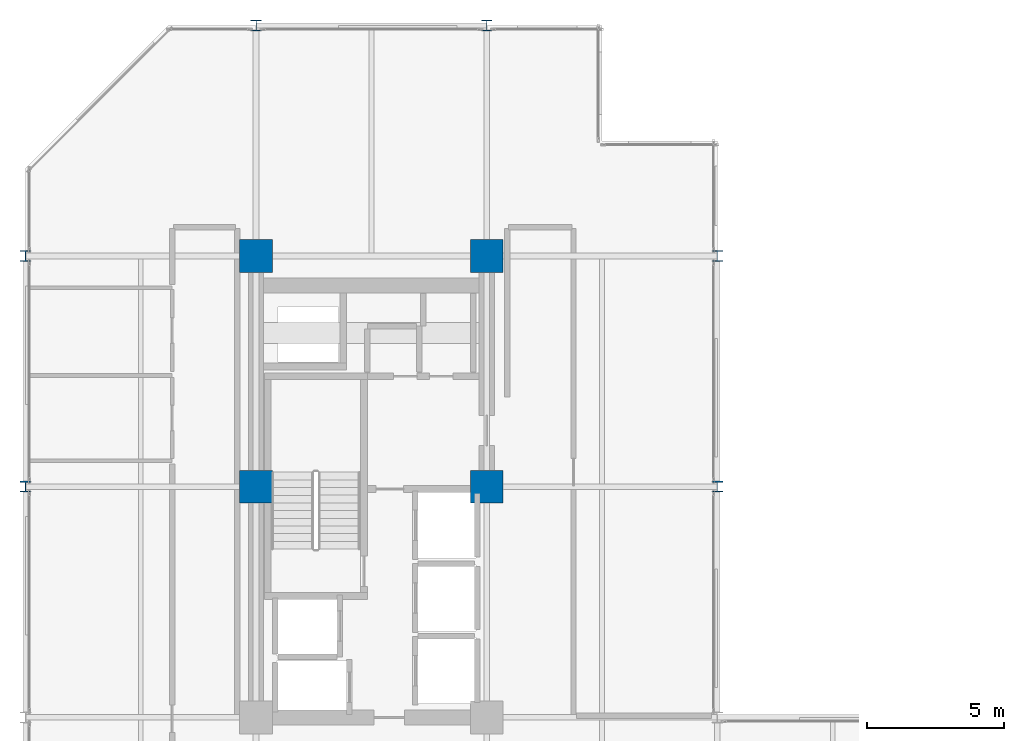
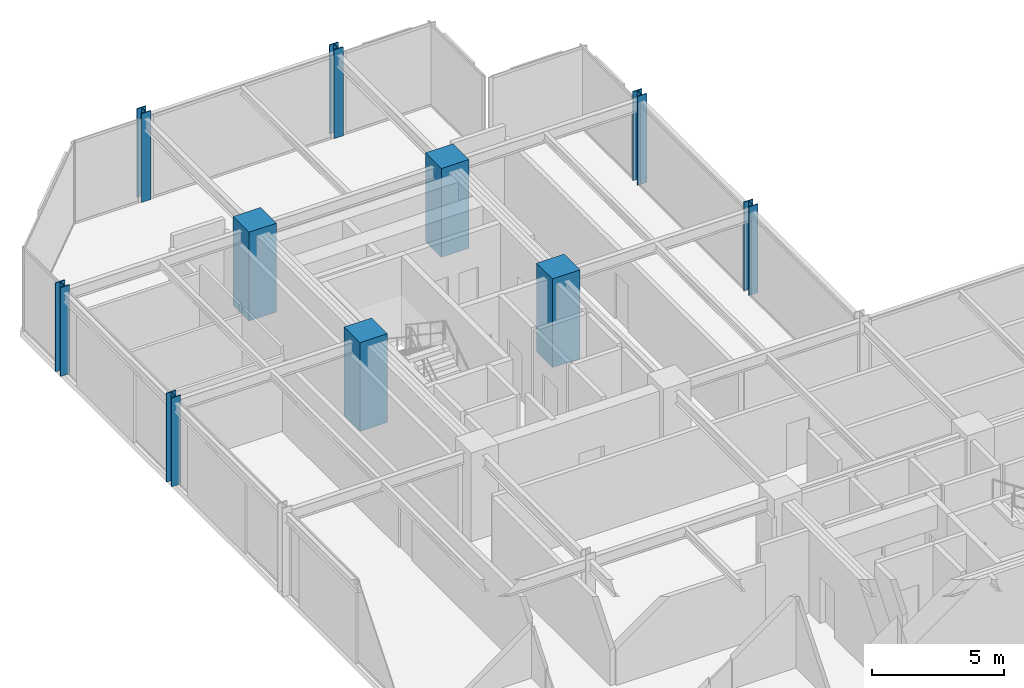
# One storey, part 3 of 38: 10 columns.
"""IFC4 building model written with IfcOpenShell, lengths in metres."""

from ifc_helpers import new_model, si_unit, direction, frame, origin, origin_2d, place, context, subcontext, project, spatial, rectangle, i_section, extrude, material, material_profile, profile_set, type_object, element, save


model = new_model("IFC4")

# Units and contexts
model_context = context("Model", 3, precision=1e-05, world=origin(), true_north=direction((0.0, 1.0)))
body_context = subcontext(model_context, "Body", "Model", "MODEL_VIEW")
ifc_project = project(units=[si_unit("LENGTHUNIT", "METRE"), si_unit("AREAUNIT", "SQUARE_METRE"), si_unit("VOLUMEUNIT", "CUBIC_METRE"), si_unit("PLANEANGLEUNIT", "RADIAN"), si_unit("MASSUNIT", "GRAM", prefix="KILO")], contexts=[model_context])

# Site, building, storey
site_placement = place(None, origin())
site = spatial("IfcSite", under=ifc_project, at=site_placement, CompositionType="ELEMENT")
building_placement = place(site_placement, origin())
building = spatial("IfcBuilding", under=site, at=building_placement, Name="Nerrivon Quay Data Exchange", CompositionType="ELEMENT")
storey_placement = place(building_placement, frame((0.0, 0.0, 96.699951171875)))
storey = spatial("IfcBuildingStorey", under=building, at=storey_placement, Name="L22", CompositionType="ELEMENT", Elevation=96.699951171875)

# Columns
ifc_material_1 = material(Name="Concrete S65 (65 MPa)", Category="concrete")
ifc_material_profile_1 = material_profile(ifc_material_1, rectangle(XDim=1.199951171875, YDim=1.199951171875, at=origin_2d()), Name="RC-COL-1200x1200")
ifc_profile_set_1 = profile_set([ifc_material_profile_1], Name="Concrete S65 (65 MPa)")
column_type_1 = type_object("IfcColumnType", Name="COL-C3-1200", PredefinedType="COLUMN", material=ifc_profile_set_1)
for number, where, z_axis, x_axis, name in (
    (1, (8.39990234375, 33.60009765625, 0.0), (0.0, 0.0, 1.0), (1.0, 0.0, 0.0), "L22 Column (8.4,33.6)"),
    (2, (8.39990234375, 42.0, 0.0), (0.0, 0.0, 1.0), (1.0, 0.0, 0.0), "L22 Column (8.4,42.0)"),
    (3, (16.800048828125, 33.60009765625, 0.0), (0.0, 0.0, 1.0), (1.0, 0.0, 0.0), "L22 Column (16.8,33.6)"),
    (4, (16.800048828125, 42.0, 0.0), (0.0, 0.0, 1.0), (1.0, 0.0, 0.0), "L22 Column (16.8,42.0)"),
):
    element("IfcColumn", number, at=place(storey_placement, frame(where, z_axis=z_axis, x_axis=x_axis)), inside=storey, type_object=column_type_1, Name=name, PredefinedType="COLUMN", context=body_context, shape_type="SweptSolid", body=[
        extrude(rectangle(XDim=1.199951171875, YDim=1.199951171875, at=origin_2d()), origin(), (0.0, 0.0, 1.0), 4.10009765625),
    ])
ifc_material_2 = material(Name="Steel Grade 350", Category="steel")
ifc_material_profile_2 = material_profile(ifc_material_2, i_section(OverallWidth=0.39990234375, OverallDepth=0.39990234375, WebThickness=0.02490234375, FlangeThickness=0.0400390625, at=origin_2d()), Name="400WC328")
ifc_profile_set_2 = profile_set([ifc_material_profile_2], Name="Steel Grade 350")
column_type_2 = type_object("IfcColumnType", Name="COL-SC2-400WC", PredefinedType="COLUMN", material=ifc_profile_set_2)
for number, where, z_axis, x_axis, name in (
    (5, (0.0, 33.60009765625, 0.0), (0.0, 0.0, 1.0), (1.0, 0.0, 0.0), "L22 Column (0.0,33.6)"),
    (6, (0.0, 42.0, 0.0), (0.0, 0.0, 1.0), (1.0, 0.0, 0.0), "L22 Column (0.0,42.0)"),
    (7, (8.39990234375, 50.39990234375, 0.0), (0.0, 0.0, 1.0), (1.0, 0.0, 0.0), "L22 Column (8.4,50.4)"),
    (8, (16.800048828125, 50.39990234375, 0.0), (0.0, 0.0, 1.0), (1.0, 0.0, 0.0), "L22 Column (16.8,50.4)"),
    (9, (25.199951171875, 33.60009765625, 0.0), (0.0, 0.0, 1.0), (1.0, 0.0, 0.0), "L22 Column (25.2,33.6)"),
    (10, (25.199951171875, 42.0, 0.0), (0.0, 0.0, 1.0), (1.0, 0.0, 0.0), "L22 Column (25.2,42.0)"),
):
    element("IfcColumn", number, at=place(storey_placement, frame(where, z_axis=z_axis, x_axis=x_axis)), inside=storey, type_object=column_type_2, Name=name, PredefinedType="COLUMN", context=body_context, shape_type="SweptSolid", body=[
        extrude(i_section(OverallWidth=0.39990234375, OverallDepth=0.39990234375, WebThickness=0.02490234375, FlangeThickness=0.0400390625, at=origin_2d()), origin(), (0.0, 0.0, 1.0), 4.10009765625),
    ])

save(model, "model.ifc")
